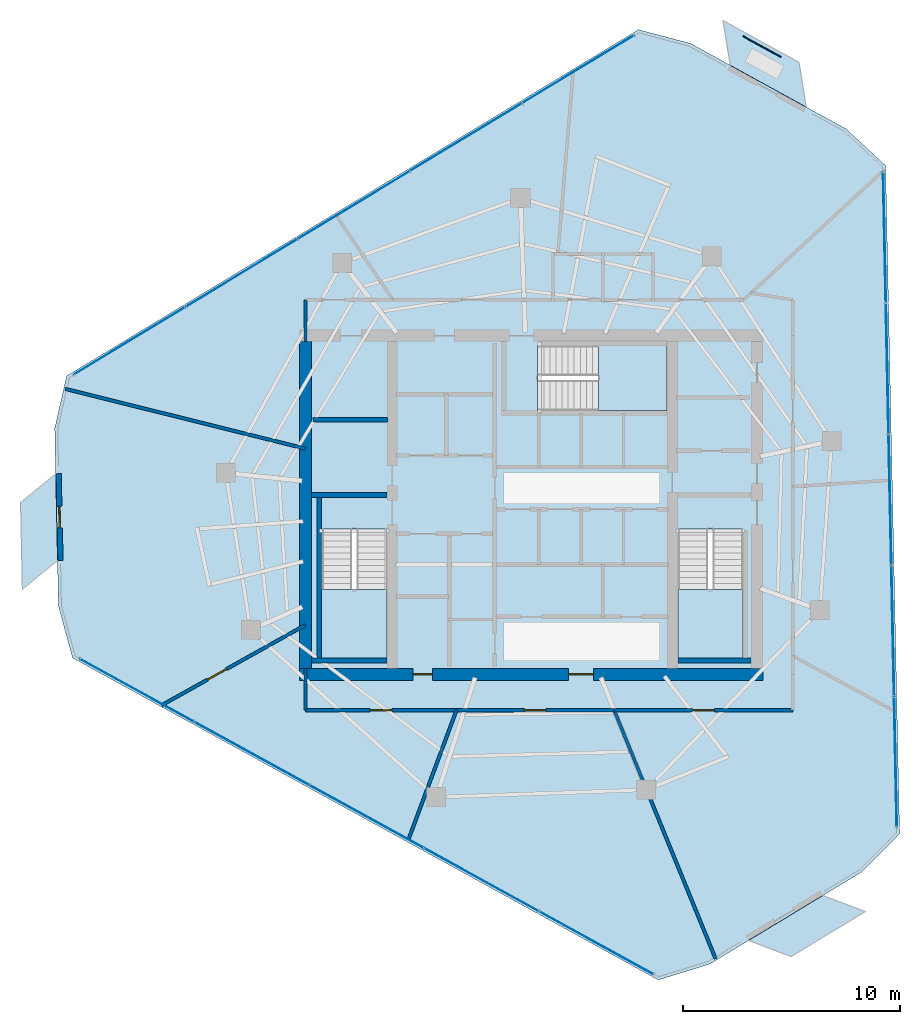
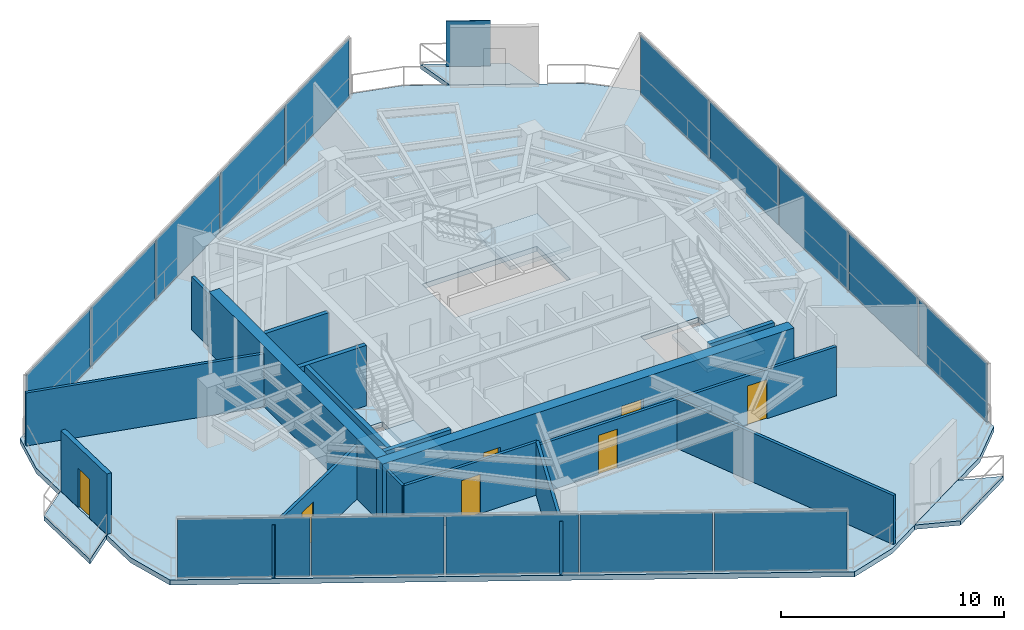
# One storey, part 14 of 19: 17 walls, 16 plates, 7 doors, 7 slabs, 7 openings, 6 elements without a shape of their own.
"""IFC4 building model written with IfcOpenShell, lengths in metres."""

import ifcopenshell
import ifcopenshell.guid

model = None  # the IFC model being written
_history = None  # IfcOwnerHistory: only IFC2X3 demands one
_inside = {}  # id of a spatial element -> (the spatial element, [elements in it])
_under = {}  # id of a project, library or spatial element -> (it, [spatial elements below it])
_declared = {}  # id of a project -> (the project, [libraries it declares])
_typed = {}  # id of a type object -> (the type object, [elements of that type])
_made_of = {}  # id of a material, layer set ... -> (it, [elements and type objects made of it])


def new_model(schema):
    """Start an empty IFC model of exactly this schema.

    Asked for "IFC4X3", IfcOpenShell would pick the latest addendum, in which some entities
    have other attributes; the version numbers below select the first issue.
    IFC2X3 requires an IfcOwnerHistory on every rooted entity: one is made here for all.
    """
    global model, _history
    if schema == "IFC4X3":
        model = ifcopenshell.file(schema_version=(4, 3, 0, 0))
    else:
        model = ifcopenshell.file(schema=schema)
    _inside.clear()
    _under.clear()
    _declared.clear()
    _typed.clear()
    _made_of.clear()
    _history = None
    if model.schema == "IFC2X3":
        org = make("IfcOrganization", Name="unknown")
        user = make(
            "IfcPersonAndOrganization",
            ThePerson=make("IfcPerson", FamilyName="unknown"),
            TheOrganization=org,
        )
        app = make(
            "IfcApplication",
            ApplicationDeveloper=org,
            Version="unknown",
            ApplicationFullName="unknown",
            ApplicationIdentifier="unknown",
        )
        _history = make(
            "IfcOwnerHistory",
            OwningUser=user,
            OwningApplication=app,
            ChangeAction="ADDED",
            CreationDate=0,
        )
    return model


def make(cls, **values):
    """One entity of the class cls with the attributes given. An attribute that is None is left unset."""
    return model.create_entity(
        cls, **{name: value for name, value in values.items() if value is not None}
    )


def rooted(cls, **values):
    """An entity with a GlobalId (a new one), such as an element, a storey or a relation."""
    return make(cls, GlobalId=ifcopenshell.guid.new(), OwnerHistory=_history, **values)


def si_unit(unit_type, name, prefix=None):
    """IfcSIUnit, for example si_unit("LENGTHUNIT", "METRE", prefix="MILLI")."""
    return make("IfcSIUnit", UnitType=unit_type, Prefix=prefix, Name=name)


def assignment(units):
    """IfcUnitAssignment: the units of a project."""
    return None if units is None else make("IfcUnitAssignment", Units=units)


def point(xyz):
    """IfcCartesianPoint."""
    return None if xyz is None else make("IfcCartesianPoint", Coordinates=xyz)


def direction(xyz):
    """IfcDirection."""
    return None if xyz is None else make("IfcDirection", DirectionRatios=xyz)


def frame(location, z_axis=None, x_axis=None):
    """IfcAxis2Placement3D, a coordinate frame: its origin and axes. An axis left out is left unset."""
    return make(
        "IfcAxis2Placement3D",
        Location=point(location),
        Axis=direction(z_axis),
        RefDirection=direction(x_axis),
    )


def frame_2d(location, x_axis=None):
    """IfcAxis2Placement2D, a coordinate frame in the plane: its origin and x axis."""
    return make(
        "IfcAxis2Placement2D", Location=point(location), RefDirection=direction(x_axis)
    )


def origin():
    """The frame at (0, 0, 0) with its axes left unset."""
    return frame((0.0, 0.0, 0.0))


def origin_2d():
    """The frame at (0, 0) in the plane with its x axis left unset."""
    return frame_2d((0.0, 0.0))


def place(relative_to, where):
    """IfcLocalPlacement: puts the frame where relative to a parent placement (None: the world)."""
    return make(
        "IfcLocalPlacement", PlacementRelTo=relative_to, RelativePlacement=where
    )


def context(
    kind, dimensions, precision=None, world=None, true_north=None, identifier=None
):
    """IfcGeometricRepresentationContext, for example the 3D "Model" context."""
    return make(
        "IfcGeometricRepresentationContext",
        ContextIdentifier=identifier,
        ContextType=kind,
        CoordinateSpaceDimension=dimensions,
        Precision=precision,
        WorldCoordinateSystem=world,
        TrueNorth=true_north,
    )


def subcontext(parent, identifier, kind, view, scale=None):
    """IfcGeometricRepresentationSubContext, for example "Body" below "Model"."""
    return make(
        "IfcGeometricRepresentationSubContext",
        ContextIdentifier=identifier,
        ContextType=kind,
        ParentContext=parent,
        TargetScale=scale,
        TargetView=view,
    )


def project(units=None, contexts=None):
    """IfcProject with its units and contexts."""
    return rooted(
        "IfcProject",
        Name="project",
        RepresentationContexts=contexts,
        UnitsInContext=assignment(units),
    )


def spatial(cls, under=None, at=None, **own):
    """A site, building, storey or space (cls), placed at a placement, below another one or the project."""
    s = rooted(cls, ObjectPlacement=at, **own)
    if under is not None:
        _under.setdefault(under.id(), (under, []))[1].append(s)
    return s


def polyline(points):
    """IfcPolyline through the points."""
    return make("IfcPolyline", Points=[point(p) for p in points])


def profile(cls, at=None, kind="AREA", **sizes):
    """A parametric profile (cls). Its sizes go by their IFC names, for example OverallWidth=200.0."""
    return make(cls, ProfileType=kind, Position=at, **sizes)


def rectangle(**sizes):
    """IfcRectangleProfileDef."""
    return profile("IfcRectangleProfileDef", **sizes)


def outline(outer, holes=None, kind="AREA"):
    """IfcArbitraryClosedProfileDef: a profile drawn as a closed curve; with holes, ...WithVoids."""
    if holes is None:
        return make("IfcArbitraryClosedProfileDef", ProfileType=kind, OuterCurve=outer)
    return make(
        "IfcArbitraryProfileDefWithVoids",
        ProfileType=kind,
        OuterCurve=outer,
        InnerCurves=holes,
    )


def extrude(swept, where, along, depth):
    """IfcExtrudedAreaSolid: the profile swept, set in the frame where, extruded along a direction by depth."""
    return make(
        "IfcExtrudedAreaSolid",
        SweptArea=swept,
        Position=where,
        ExtrudedDirection=direction(along),
        Depth=depth,
    )


def shape(context_of_items, identifier, shape_type, items):
    """IfcShapeRepresentation: the items that make up one representation, for example the "Body"."""
    return make(
        "IfcShapeRepresentation",
        ContextOfItems=context_of_items,
        RepresentationIdentifier=identifier,
        RepresentationType=shape_type,
        Items=items,
    )


def material(Name=None, Category=None):
    """IfcMaterial."""
    return make("IfcMaterial", Name=Name, Category=Category)


def layer(
    of_material, thickness, ventilated=None, Name=None, Category=None, Priority=None
):
    """IfcMaterialLayer: one layer of a wall or slab, of a material (None: an air gap)."""
    return make(
        "IfcMaterialLayer",
        Material=of_material,
        LayerThickness=thickness,
        IsVentilated=ventilated,
        Name=Name,
        Category=Category,
        Priority=Priority,
    )


def layer_set(layers, Name=None):
    """IfcMaterialLayerSet."""
    return make("IfcMaterialLayerSet", MaterialLayers=layers, LayerSetName=Name)


def made_of(thing, what):
    """Note that an element or type object is made of a material, layer set ...; save() writes the relation."""
    if what is not None:
        _made_of.setdefault(what.id(), (what, []))[1].append(thing)
    return thing


def type_object(cls, material=None, **own):
    """A type object (cls), such as IfcWallType, which elements share."""
    return made_of(rooted(cls, **own), material)


def element(
    cls,
    number,
    at=None,
    inside=None,
    cuts=None,
    type_object=None,
    material=None,
    context=None,
    identifier="Body",
    shape_type=None,
    held_by="IfcProductDefinitionShape",
    body=None,
    shapes=None,
    **own,
):
    """One element of the class cls, such as IfcWall. Its Tag is "e" and its number.

    at: its placement. inside: the storey or other place that contains it. cuts: it is an
    opening in that element (IfcRelVoidsElement). A single representation is given by context,
    identifier, shape_type and body (its items); several are given by shapes. held_by: the class
    of the entity that holds the representations. save() writes the other relations.
    """
    e = rooted(cls, Tag="e%d" % number, ObjectPlacement=at, **own)
    if body is not None:
        shapes = [shape(context, identifier, shape_type, body)]
    if shapes is not None:
        e.Representation = make(held_by, Representations=shapes)
    if inside is not None:
        _inside.setdefault(inside.id(), (inside, []))[1].append(e)
    if cuts is not None:
        rooted(
            "IfcRelVoidsElement", RelatingBuildingElement=cuts, RelatedOpeningElement=e
        )
    if type_object is not None:
        _typed.setdefault(type_object.id(), (type_object, []))[1].append(e)
    return made_of(e, material)


def fill(opening, filler):
    """IfcRelFillsElement: the door or window that sits in an opening."""
    return rooted(
        "IfcRelFillsElement",
        RelatingOpeningElement=opening,
        RelatedBuildingElement=filler,
    )


def aggregate(whole, parts):
    """IfcRelAggregates: a whole, such as a stair, and the parts it consists of."""
    return rooted("IfcRelAggregates", RelatingObject=whole, RelatedObjects=parts)


def save(model, path):
    """Write the relations noted so far, then the file.

    IfcRelAggregates (storeys below a building ...), IfcRelContainedInSpatialStructure (elements
    in a storey), IfcRelDefinesByType, IfcRelAssociatesMaterial and IfcRelDeclares: one each for
    every whole, place, type object, material and project.
    """
    for whole, parts in _under.values():
        aggregate(whole, parts)
    for where, things in _inside.values():
        rooted(
            "IfcRelContainedInSpatialStructure",
            RelatedElements=things,
            RelatingStructure=where,
        )
    for kind, things in _typed.values():
        rooted("IfcRelDefinesByType", RelatedObjects=things, RelatingType=kind)
    for what, things in _made_of.values():
        rooted("IfcRelAssociatesMaterial", RelatedObjects=things, RelatingMaterial=what)
    for by, libraries in _declared.values():
        rooted("IfcRelDeclares", RelatingContext=by, RelatedDefinitions=libraries)
    model.write(path)


model = new_model("IFC4")

# Units and contexts
model_context = context("Model", 3, precision=1e-05, world=origin(), true_north=direction((0.0, 1.0)))
body_context = subcontext(model_context, "Body", "Model", "MODEL_VIEW")
ifc_project = project(units=[si_unit("LENGTHUNIT", "METRE"), si_unit("AREAUNIT", "SQUARE_METRE"), si_unit("VOLUMEUNIT", "CUBIC_METRE"), si_unit("PLANEANGLEUNIT", "RADIAN"), si_unit("MASSUNIT", "GRAM", prefix="KILO")], contexts=[model_context])

# Site, building, storey
site_placement = place(None, origin())
site = spatial("IfcSite", under=ifc_project, at=site_placement, CompositionType="ELEMENT")
building_placement = place(site_placement, origin())
building = spatial("IfcBuilding", under=site, at=building_placement, Name="Qarnah Convention Tower", CompositionType="ELEMENT")
storey_placement = place(building_placement, frame((0.0, 0.0, 184.199951171875)))
storey = spatial("IfcBuildingStorey", under=building, at=storey_placement, Name="L49", CompositionType="ELEMENT", Elevation=184.199951171875)

# Curtain wall, plates
ifc_material_1 = material(Name="Tempered Low-E dark glass", Category="glass")
ifc_layer_1 = layer(ifc_material_1, 0.174072265625)
ifc_layer_set_1 = layer_set([ifc_layer_1], Name="Tempered Low-E dark glass")
curtain_wall_type = type_object("IfcCurtainWallType", Name="CWS-04", PredefinedType="NOTDEFINED", material=ifc_layer_set_1)
curtain_wall_1_placement = place(storey_placement, origin())
curtain_wall_1 = element("IfcCurtainWall", 1, at=curtain_wall_1_placement, inside=storey, type_object=curtain_wall_type, Name="L49 unitised curtain wall CW-L49-F1", PredefinedType="NOTDEFINED")
ifc_layer_2 = layer(ifc_material_1, 0.033935546875)
ifc_layer_set_2 = layer_set([ifc_layer_2], Name="Tempered Low-E dark glass")
plate_type_1 = type_object("IfcPlateType", Name="PNL-T4", PredefinedType="CURTAIN_PANEL", material=ifc_layer_set_2)
plate_1_placement = place(storey_placement, frame((53.47412109375, 38.7138671875, 0.0400390625), z_axis=(0.0, 0.0, 1.0), x_axis=(0.020935038759, -0.99978083806, 0.0)))
plate_1 = element("IfcPlate", 2, at=plate_1_placement, type_object=plate_type_1, Name="CW-L49-F1 curtain panel 1.1", PredefinedType="CURTAIN_PANEL", context=body_context, shape_type="SweptSolid", body=[
    extrude(rectangle(XDim=5.957763671875, YDim=0.033935546875, at=origin_2d()), origin(), (0.0, 0.0, 1.0), 3.239990234375),
])
plate_2_placement = place(storey_placement, frame((53.6005859375, 32.677490234375, 0.0400390625), z_axis=(0.0, 0.0, 1.0), x_axis=(0.020935038759, -0.99978083806, 0.0)))
plate_2 = element("IfcPlate", 3, at=plate_2_placement, type_object=plate_type_1, Name="CW-L49-F1 curtain panel 2.1", PredefinedType="CURTAIN_PANEL", context=body_context, shape_type="SweptSolid", body=[
    extrude(rectangle(XDim=5.957763671875, YDim=0.033935546875, at=origin_2d()), origin(), (0.0, 0.0, 1.0), 3.239990234375),
])
plate_3_placement = place(storey_placement, frame((53.72705078125, 26.64111328125, 0.0400390625), z_axis=(0.0, 0.0, 1.0), x_axis=(0.020935038759, -0.99978083806, 0.0)))
plate_3 = element("IfcPlate", 4, at=plate_3_placement, type_object=plate_type_1, Name="CW-L49-F1 curtain panel 3.1", PredefinedType="CURTAIN_PANEL", context=body_context, shape_type="SweptSolid", body=[
    extrude(rectangle(XDim=5.957763671875, YDim=0.033935546875, at=origin_2d()), origin(), (0.0, 0.0, 1.0), 3.239990234375),
])
plate_4_placement = place(storey_placement, frame((53.853515625, 20.6044921875, 0.0400390625), z_axis=(0.0, 0.0, 1.0), x_axis=(0.020935038759, -0.99978083806, 0.0)))
plate_4 = element("IfcPlate", 5, at=plate_4_placement, type_object=plate_type_1, Name="CW-L49-F1 curtain panel 4.1", PredefinedType="CURTAIN_PANEL", context=body_context, shape_type="SweptSolid", body=[
    extrude(rectangle(XDim=5.957763671875, YDim=0.033935546875, at=origin_2d()), origin(), (0.0, 0.0, 1.0), 3.239990234375),
])
plate_5_placement = place(storey_placement, frame((53.979736328125, 14.568115234375, 0.0400390625), z_axis=(0.0, 0.0, 1.0), x_axis=(0.020935038759, -0.99978083806, 0.0)))
plate_5 = element("IfcPlate", 6, at=plate_5_placement, type_object=plate_type_1, Name="CW-L49-F1 curtain panel 5.1", PredefinedType="CURTAIN_PANEL", context=body_context, shape_type="SweptSolid", body=[
    extrude(rectangle(XDim=5.957763671875, YDim=0.033935546875, at=origin_2d()), origin(), (0.0, 0.0, 1.0), 3.239990234375),
])
aggregate(curtain_wall_1, [plate_1, plate_2, plate_3, plate_4, plate_5])

curtain_wall_2_placement = place(storey_placement, origin())
curtain_wall_2 = element("IfcCurtainWall", 7, at=curtain_wall_2_placement, inside=storey, type_object=curtain_wall_type, Name="L49 unitised curtain wall CW-L49-F2", PredefinedType="NOTDEFINED")
plate_6_placement = place(storey_placement, frame((18.703125, 33.962646484375, 0.0400390625), z_axis=(0.0, 0.0, 1.0), x_axis=(0.855384204583, 0.517994075786, 0.0)))
plate_6 = element("IfcPlate", 8, at=plate_6_placement, type_object=plate_type_1, Name="CW-L49-F2 curtain panel 1.1", PredefinedType="CURTAIN_PANEL", context=body_context, shape_type="SweptSolid", body=[
    extrude(rectangle(XDim=5.95751953125, YDim=0.033935546875, at=origin_2d()), origin(), (0.0, 0.0, 1.0), 3.239990234375),
])
plate_7_placement = place(storey_placement, frame((23.86767578125, 37.090087890625, 0.0400390625), z_axis=(0.0, 0.0, 1.0), x_axis=(0.855384204583, 0.517994075786, 0.0)))
plate_7 = element("IfcPlate", 9, at=plate_7_placement, type_object=plate_type_1, Name="CW-L49-F2 curtain panel 2.1", PredefinedType="CURTAIN_PANEL", context=body_context, shape_type="SweptSolid", body=[
    extrude(rectangle(XDim=5.95751953125, YDim=0.033935546875, at=origin_2d()), origin(), (0.0, 0.0, 1.0), 3.239990234375),
])
plate_8_placement = place(storey_placement, frame((29.031982421875, 40.217529296875, 0.0400390625), z_axis=(0.0, 0.0, 1.0), x_axis=(0.855384204583, 0.517994075786, 0.0)))
plate_8 = element("IfcPlate", 10, at=plate_8_placement, type_object=plate_type_1, Name="CW-L49-F2 curtain panel 3.1", PredefinedType="CURTAIN_PANEL", context=body_context, shape_type="SweptSolid", body=[
    extrude(rectangle(XDim=5.95751953125, YDim=0.033935546875, at=origin_2d()), origin(), (0.0, 0.0, 1.0), 3.239990234375),
])
plate_9_placement = place(storey_placement, frame((34.1962890625, 43.344970703125, 0.0400390625), z_axis=(0.0, 0.0, 1.0), x_axis=(0.855384204583, 0.517994075786, 0.0)))
plate_9 = element("IfcPlate", 11, at=plate_9_placement, type_object=plate_type_1, Name="CW-L49-F2 curtain panel 4.1", PredefinedType="CURTAIN_PANEL", context=body_context, shape_type="SweptSolid", body=[
    extrude(rectangle(XDim=5.95751953125, YDim=0.033935546875, at=origin_2d()), origin(), (0.0, 0.0, 1.0), 3.239990234375),
])
plate_10_placement = place(storey_placement, frame((39.36083984375, 46.472412109375, 0.0400390625), z_axis=(0.0, 0.0, 1.0), x_axis=(0.855384204583, 0.517994075786, 0.0)))
plate_10 = element("IfcPlate", 12, at=plate_10_placement, type_object=plate_type_1, Name="CW-L49-F2 curtain panel 5.1", PredefinedType="CURTAIN_PANEL", context=body_context, shape_type="SweptSolid", body=[
    extrude(rectangle(XDim=5.95751953125, YDim=0.033935546875, at=origin_2d()), origin(), (0.0, 0.0, 1.0), 3.239990234375),
])
aggregate(curtain_wall_2, [plate_6, plate_7, plate_8, plate_9, plate_10])

curtain_wall_3_placement = place(storey_placement, origin())
curtain_wall_3 = element("IfcCurtainWall", 13, at=curtain_wall_3_placement, inside=storey, type_object=curtain_wall_type, Name="L49 unitised curtain wall CW-L49-F3", PredefinedType="NOTDEFINED")
plate_11_placement = place(storey_placement, frame((40.20263671875, 6.225341796875, 0.0400390625), z_axis=(0.0, 0.0, 1.0), x_axis=(-0.876301920967, 0.481762330729, 0.0)))
plate_11 = element("IfcPlate", 14, at=plate_11_placement, type_object=plate_type_1, Name="CW-L49-F3 curtain panel 1.1", PredefinedType="CURTAIN_PANEL", context=body_context, shape_type="SweptSolid", body=[
    extrude(rectangle(XDim=5.95751953125, YDim=0.033935546875, at=origin_2d()), origin(), (0.0, 0.0, 1.0), 3.239990234375),
])
plate_12_placement = place(storey_placement, frame((34.912109375, 9.1337890625, 0.0400390625), z_axis=(0.0, 0.0, 1.0), x_axis=(-0.876301920967, 0.481762330729, 0.0)))
plate_12 = element("IfcPlate", 15, at=plate_12_placement, type_object=plate_type_1, Name="CW-L49-F3 curtain panel 2.1", PredefinedType="CURTAIN_PANEL", context=body_context, shape_type="SweptSolid", body=[
    extrude(rectangle(XDim=5.95751953125, YDim=0.033935546875, at=origin_2d()), origin(), (0.0, 0.0, 1.0), 3.239990234375),
])
plate_13_placement = place(storey_placement, frame((29.62158203125, 12.04248046875, 0.0400390625), z_axis=(0.0, 0.0, 1.0), x_axis=(-0.876301920967, 0.481762330729, 0.0)))
plate_13 = element("IfcPlate", 16, at=plate_13_placement, type_object=plate_type_1, Name="CW-L49-F3 curtain panel 3.1", PredefinedType="CURTAIN_PANEL", context=body_context, shape_type="SweptSolid", body=[
    extrude(rectangle(XDim=5.95751953125, YDim=0.033935546875, at=origin_2d()), origin(), (0.0, 0.0, 1.0), 3.239990234375),
])
plate_14_placement = place(storey_placement, frame((24.330810546875, 14.951171875, 0.0400390625), z_axis=(0.0, 0.0, 1.0), x_axis=(-0.876301920967, 0.481762330729, 0.0)))
plate_14 = element("IfcPlate", 17, at=plate_14_placement, type_object=plate_type_1, Name="CW-L49-F3 curtain panel 4.1", PredefinedType="CURTAIN_PANEL", context=body_context, shape_type="SweptSolid", body=[
    extrude(rectangle(XDim=5.95751953125, YDim=0.033935546875, at=origin_2d()), origin(), (0.0, 0.0, 1.0), 3.239990234375),
])
plate_15_placement = place(storey_placement, frame((19.040283203125, 17.859619140625, 0.0400390625), z_axis=(0.0, 0.0, 1.0), x_axis=(-0.876301920967, 0.481762330729, 0.0)))
plate_15 = element("IfcPlate", 18, at=plate_15_placement, type_object=plate_type_1, Name="CW-L49-F3 curtain panel 5.1", PredefinedType="CURTAIN_PANEL", context=body_context, shape_type="SweptSolid", body=[
    extrude(rectangle(XDim=5.95751953125, YDim=0.033935546875, at=origin_2d()), origin(), (0.0, 0.0, 1.0), 3.239990234375),
])
aggregate(curtain_wall_3, [plate_11, plate_12, plate_13, plate_14, plate_15])

# Plate
ifc_material_2 = material(Name="Black anodised aluminium", Category="aluminium")
ifc_layer_3 = layer(ifc_material_2, 0.044921875)
ifc_layer_set_3 = layer_set([ifc_layer_3], Name="Black anodised aluminium")
plate_type_2 = type_object("IfcPlateType", Name="SCR-BAL-18", PredefinedType="USERDEFINED", material=ifc_layer_set_3)
plate_16_placement = place(storey_placement, frame((47.821044921875, 47.51611328125, 0.0), z_axis=(0.0, 0.0, 1.0), x_axis=(0.876294908319, -0.481775086169, 0.0)))
element("IfcPlate", 19, at=plate_16_placement, inside=storey, type_object=plate_type_2, Name="L49 perforated desert solar screen BAL-L49-C1", ObjectType="SCREEN", PredefinedType="USERDEFINED", context=body_context, shape_type="SweptSolid", body=[
    extrude(rectangle(XDim=2.0, YDim=0.044921875, at=origin_2d()), origin(), (0.0, 0.0, 1.0), 2.5),
])

# Slabs
ifc_material_3 = material(Name="Concrete C45/55", Category="concrete")
ifc_layer_4 = layer(ifc_material_3, 0.239990234375)
ifc_layer_set_4 = layer_set([ifc_layer_4], Name="Concrete C45/55")
slab_type_1 = type_object("IfcSlabType", Name="SLB-BAL-240", PredefinedType="USERDEFINED", material=ifc_layer_set_4)
slab_1_placement = place(storey_placement, frame((0.0, 0.0, -0.239990234375)))
element("IfcSlab", 20, at=slab_1_placement, inside=storey, type_object=slab_type_1, Name="L49 cantilevered balcony slab BAL-L49-C1", ObjectType="BALCONY", PredefinedType="USERDEFINED", context=body_context, shape_type="SweptSolid", body=[
    extrude(outline(polyline([(46.030029296875, 48.716064453125), (49.534912109375, 46.7890625), (49.8701171875, 44.72412109375), (46.364990234375, 46.65087890625), (46.030029296875, 48.716064453125)])), origin(), (0.0, 0.0, 1.0), 0.239990234375),
])
slab_2_placement = place(storey_placement, frame((0.0, 0.0, -0.239990234375)))
element("IfcSlab", 21, at=slab_2_placement, inside=storey, type_object=slab_type_1, Name="L49 cantilevered balcony slab BAL-L49-C2", ObjectType="BALCONY", PredefinedType="USERDEFINED", context=body_context, shape_type="SweptSolid", body=[
    extrude(outline(polyline([(13.761962890625, 22.513916015625), (13.677978515625, 26.512939453125), (15.300048828125, 27.8349609375), (15.383056640625, 23.8359375), (13.761962890625, 22.513916015625)])), origin(), (0.0, 0.0, 1.0), 0.239990234375),
])
slab_3_placement = place(storey_placement, frame((0.0, 0.0, -0.239990234375)))
element("IfcSlab", 22, at=slab_3_placement, inside=storey, type_object=slab_type_1, Name="L49 cantilevered balcony slab BAL-L49-C3", ObjectType="BALCONY", PredefinedType="USERDEFINED", context=body_context, shape_type="SweptSolid", body=[
    extrude(outline(polyline([(52.587890625, 7.669921875), (49.1669921875, 5.597900390625), (47.2099609375, 6.341064453125), (50.632080078125, 8.4130859375), (52.587890625, 7.669921875)])), origin(), (0.0, 0.0, 1.0), 0.239990234375),
])

# Stair, slab
ifc_material_4 = material(Name="Concrete C50/60", Category="concrete")
stair_type = type_object("IfcStairType", Name="STR-OFF", PredefinedType="HALF_TURN_STAIR", material=ifc_material_4)
stair_1_placement = place(storey_placement, origin())
stair_1 = element("IfcStair", 23, at=stair_1_placement, inside=storey, type_object=stair_type, Name="L49 Core exit stair ST-1", PredefinedType="HALF_TURN_STAIR")
ifc_layer_5 = layer(ifc_material_4, 0.199951171875)
ifc_layer_set_5 = layer_set([ifc_layer_5], Name="Concrete C50/60")
slab_type_2 = type_object("IfcSlabType", Name="SLB-LANDING-200", PredefinedType="LANDING", material=ifc_layer_set_5)
slab_4_placement = place(storey_placement, frame((0.0, 0.0, 1.60009765625)))
slab_4 = element("IfcSlab", 24, at=slab_4_placement, type_object=slab_type_2, Name="ST-1 landing 1", PredefinedType="LANDING", context=body_context, shape_type="SweptSolid", body=[
    extrude(outline(polyline([(27.550048828125, 22.5), (27.550048828125, 19.35009765625), (30.550048828125, 19.35009765625), (30.550048828125, 22.5), (27.550048828125, 22.5)])), origin(), (0.0, 0.0, 1.0), 0.199951171875),
])
aggregate(stair_1, [slab_4])

stair_2_placement = place(storey_placement, origin())
stair_2 = element("IfcStair", 25, at=stair_2_placement, inside=storey, type_object=stair_type, Name="L49 Core exit stair ST-2", PredefinedType="HALF_TURN_STAIR")
slab_5_placement = place(storey_placement, frame((0.0, 0.0, 1.60009765625)))
slab_5 = element("IfcSlab", 26, at=slab_5_placement, type_object=slab_type_2, Name="ST-2 landing 1", PredefinedType="LANDING", context=body_context, shape_type="SweptSolid", body=[
    extrude(outline(polyline([(43.949951171875, 22.5), (43.949951171875, 19.35009765625), (46.949951171875, 19.35009765625), (46.949951171875, 22.5), (43.949951171875, 22.5)])), origin(), (0.0, 0.0, 1.0), 0.199951171875),
])
aggregate(stair_2, [slab_5])

stair_3_placement = place(storey_placement, origin())
stair_3 = element("IfcStair", 27, at=stair_3_placement, inside=storey, type_object=stair_type, Name="L49 Core exit stair ST-3", PredefinedType="HALF_TURN_STAIR")
slab_6_placement = place(storey_placement, frame((0.0, 0.0, 1.60009765625)))
slab_6 = element("IfcSlab", 28, at=slab_6_placement, type_object=slab_type_2, Name="ST-3 landing 1", PredefinedType="LANDING", context=body_context, shape_type="SweptSolid", body=[
    extrude(outline(polyline([(40.300048828125, 30.75), (43.449951171875, 30.75), (43.449951171875, 33.75), (40.300048828125, 33.75), (40.300048828125, 30.75)])), origin(), (0.0, 0.0, 1.0), 0.199951171875),
])
aggregate(stair_3, [slab_6])

# Slab
ifc_layer_6 = layer(ifc_material_3, 0.280029296875)
ifc_layer_set_6 = layer_set([ifc_layer_6], Name="Concrete C45/55")
slab_type_3 = type_object("IfcSlabType", Name="SLB-TWR-280", PredefinedType="FLOOR", material=ifc_layer_set_6)
slab_7_placement = place(storey_placement, frame((0.0, 0.0, -0.280029296875)))
element("IfcSlab", 29, at=slab_7_placement, inside=storey, type_object=slab_type_3, Name="L49 structural floor slab", PredefinedType="FLOOR", context=body_context, shape_type="SweptSolid", body=[
    extrude(outline(polyline([(42.136962890625, 48.2939453125), (15.802001953125, 32.345947265625), (15.251953125, 29.925048828125), (15.423095703125, 21.7490234375), (16.073974609375, 19.35302734375), (43.052978515625, 4.52099609375), (45.425048828125, 5.2548828125), (52.419921875, 9.490966796875), (54.1689453125, 11.2529296875), (53.52490234375, 42.033935546875), (51.702880859375, 43.720947265625), (44.537109375, 47.659912109375), (42.136962890625, 48.2939453125)]), holes=[polyline([(27.550048828125, 25.300048828125), (27.550048828125, 19.35009765625), (30.550048828125, 19.35009765625), (30.550048828125, 25.300048828125), (27.550048828125, 25.300048828125)]), polyline([(43.949951171875, 25.300048828125), (43.949951171875, 19.35009765625), (46.949951171875, 19.35009765625), (46.949951171875, 25.300048828125), (43.949951171875, 25.300048828125)]), polyline([(37.5, 30.75), (43.449951171875, 30.75), (43.449951171875, 33.75), (37.5, 33.75), (37.5, 30.75)])]), origin(), (0.0, 0.0, 1.0), 0.280029296875),
])

# Wall, openings, doors
ifc_material_5 = material(Name="Concrete C60/75", Category="concrete")
ifc_layer_7 = layer(ifc_material_5, 0.550048828125)
ifc_layer_set_7 = layer_set([ifc_layer_7], Name="Concrete C60/75")
wall_type_1 = type_object("IfcWallType", Name="WL-CORE-550", PredefinedType="SHEAR", material=ifc_layer_set_7)
wall_1_placement = place(storey_placement, frame((26.52490234375, 18.60009765625, 0.0), z_axis=(0.0, 0.0, 1.0), x_axis=(1.0, 0.0, 0.0)))
wall_1 = element("IfcWall", 30, at=wall_1_placement, inside=storey, type_object=wall_type_1, Name="L49 core south shear wall", PredefinedType="SHEAR", context=body_context, shape_type="SweptSolid", body=[
    extrude(rectangle(XDim=21.35009765625, YDim=0.550048828125, at=frame_2d((10.675048828125, 0.0))), origin(), (0.0, 0.0, 1.0), 3.320068359375),
])
opening_1_placement = place(wall_1_placement, frame((12.39990234375, 0.0, 0.0)))
opening_1 = element("IfcOpeningElement", 31, at=opening_1_placement, cuts=wall_1, Name="Opening D-4907", PredefinedType="OPENING", context=body_context, shape_type="SweptSolid", body=[
    extrude(rectangle(XDim=1.14990234375, YDim=2.14990234375, at=frame_2d((0.574951171875, 1.074951171875))), frame((0.0, 0.284912109375, 0.0), z_axis=(0.0, -1.0, 0.0), x_axis=(1.0, 0.0, 0.0)), (0.0, 0.0, 1.0), 0.570068359375),
])
opening_2_placement = place(wall_1_placement, frame((5.22509765625, 0.0, 0.0)))
opening_2 = element("IfcOpeningElement", 32, at=opening_2_placement, cuts=wall_1, Name="Opening D-4913", PredefinedType="OPENING", context=body_context, shape_type="SweptSolid", body=[
    extrude(rectangle(XDim=0.89990234375, YDim=2.10009765625, at=frame_2d((0.449951171875, 1.050048828125))), frame((0.0, 0.284912109375, 0.0), z_axis=(0.0, -1.0, 0.0), x_axis=(1.0, 0.0, 0.0)), (0.0, 0.0, 1.0), 0.570068359375),
])
ifc_material_6 = material(Name="Structural steel S355JR", Category="steel")
door_type_1 = type_object("IfcDoorType", Name="DT-LOBBY-1150", OperationType="NOTDEFINED", PredefinedType="DOOR", material=ifc_material_6)
door_1_placement = place(opening_1_placement, origin())
door_1 = element("IfcDoor", 33, at=door_1_placement, inside=storey, type_object=door_type_1, Name="Door D-4907", OperationType="SINGLE_SWING_RIGHT", OverallHeight=2.14990234375, OverallWidth=1.14990234375, PredefinedType="DOOR", context=body_context, shape_type="SweptSolid", body=[
    extrude(rectangle(XDim=1.14990234375, YDim=2.14990234375, at=frame_2d((0.574951171875, 1.074951171875))), frame((0.0, 0.02490234375, 0.0), z_axis=(0.0, -1.0, 0.0), x_axis=(1.0, 0.0, 0.0)), (0.0, 0.0, 1.0), 0.050048828125),
])
fill(opening_1, door_1)
door_type_2 = type_object("IfcDoorType", Name="DT-RISER-900", OperationType="NOTDEFINED", PredefinedType="DOOR", material=ifc_material_6)
door_2_placement = place(opening_2_placement, origin())
door_2 = element("IfcDoor", 34, at=door_2_placement, inside=storey, type_object=door_type_2, Name="Door D-4913", OperationType="SINGLE_SWING_RIGHT", OverallHeight=2.10009765625, OverallWidth=0.89990234375, PredefinedType="DOOR", context=body_context, shape_type="SweptSolid", body=[
    extrude(rectangle(XDim=0.89990234375, YDim=2.10009765625, at=frame_2d((0.449951171875, 1.050048828125))), frame((0.0, 0.02490234375, 0.0), z_axis=(0.0, -1.0, 0.0), x_axis=(1.0, 0.0, 0.0)), (0.0, 0.0, 1.0), 0.050048828125),
])
fill(opening_2, door_2)

# Walls
wall_2_placement = place(storey_placement, frame((26.800048828125, 18.875, 0.0), z_axis=(0.0, 0.0, 1.0), x_axis=(0.0, 1.0, 0.0)))
element("IfcWall", 35, at=wall_2_placement, inside=storey, type_object=wall_type_1, Name="L49 core west shear wall", PredefinedType="SHEAR", context=body_context, shape_type="SweptSolid", body=[
    extrude(rectangle(XDim=15.050048828125, YDim=0.550048828125, at=frame_2d((7.52490234375, 0.0))), origin(), (0.0, 0.0, 1.0), 3.320068359375),
])
ifc_layer_8 = layer(ifc_material_3, 0.199951171875)
ifc_layer_set_8 = layer_set([ifc_layer_8], Name="Concrete C45/55")
wall_type_2 = type_object("IfcWallType", Name="WL-CORE-PART-200", PredefinedType="SOLIDWALL", material=ifc_layer_set_8)
wall_3_placement = place(storey_placement, frame((27.14990234375, 30.320068359375, 0.0), z_axis=(0.0, 0.0, 1.0), x_axis=(1.0, 0.0, 0.0)))
element("IfcWall", 36, at=wall_3_placement, inside=storey, type_object=wall_type_2, Name="L49 interior wall IW-L49-ELRN", PredefinedType="SOLIDWALL", context=body_context, shape_type="SweptSolid", body=[
    extrude(rectangle(XDim=3.4501953125, YDim=0.199951171875, at=frame_2d((1.72509765625, 0.0))), origin(), (0.0, 0.0, 1.0), 2.9931640625),
])
ifc_layer_9 = layer(ifc_material_5, 0.219970703125)
ifc_layer_set_9 = layer_set([ifc_layer_9], Name="Concrete C60/75")
wall_type_3 = type_object("IfcWallType", Name="WL-CORE-STAIR-220", PredefinedType="SHEAR", material=ifc_layer_set_9)
wall_4_placement = place(storey_placement, frame((27.074951171875, 26.860107421875, 0.0), z_axis=(0.0, 0.0, 1.0), x_axis=(1.0, 0.0, 0.0)))
element("IfcWall", 37, at=wall_4_placement, inside=storey, type_object=wall_type_3, Name="L49 stair shaft shear wall SW-L49-ST1N", PredefinedType="SHEAR", context=body_context, shape_type="SweptSolid", body=[
    extrude(rectangle(XDim=3.47509765625, YDim=0.219970703125, at=frame_2d((1.737548828125, 0.0))), origin(), (0.0, 0.0, 1.0), 3.320068359375),
])
wall_5_placement = place(storey_placement, frame((27.43994140625, 19.35009765625, 0.0), z_axis=(0.0, 0.0, 1.0), x_axis=(0.0, 1.0, 0.0)))
element("IfcWall", 38, at=wall_5_placement, inside=storey, type_object=wall_type_3, Name="L49 stair shaft shear wall SW-L49-ST1W", PredefinedType="SHEAR", context=body_context, shape_type="SweptSolid", body=[
    extrude(rectangle(XDim=7.39990234375, YDim=0.219970703125, at=frame_2d((3.699951171875, 0.0))), origin(), (0.0, 0.0, 1.0), 3.320068359375),
])
wall_6_placement = place(storey_placement, frame((27.074951171875, 19.239990234375, 0.0), z_axis=(0.0, 0.0, 1.0), x_axis=(1.0, 0.0, 0.0)))
element("IfcWall", 39, at=wall_6_placement, inside=storey, type_object=wall_type_3, Name="L49 stair shaft shear wall SW-L49-ST1S", PredefinedType="SHEAR", context=body_context, shape_type="SweptSolid", body=[
    extrude(rectangle(XDim=3.47509765625, YDim=0.219970703125, at=frame_2d((1.737548828125, 0.0))), origin(), (0.0, 0.0, 1.0), 3.320068359375),
])
wall_7_placement = place(storey_placement, frame((43.949951171875, 19.239990234375, 0.0), z_axis=(0.0, 0.0, 1.0), x_axis=(1.0, 0.0, 0.0)))
element("IfcWall", 40, at=wall_7_placement, inside=storey, type_object=wall_type_3, Name="L49 stair shaft shear wall SW-L49-ST2S", PredefinedType="SHEAR", context=body_context, shape_type="SweptSolid", body=[
    extrude(rectangle(XDim=3.375, YDim=0.219970703125, at=frame_2d((1.6875, 0.0))), origin(), (0.0, 0.0, 1.0), 3.320068359375),
])

# Wall, opening, door
ifc_material_7 = material(Name="Precast concrete C45/55", Category="concrete")
ifc_layer_10 = layer(ifc_material_7, 0.239990234375)
ifc_layer_set_10 = layer_set([ifc_layer_10], Name="Precast concrete C45/55")
wall_type_4 = type_object("IfcWallType", Name="WL-EXT-BAL-240", PredefinedType="SOLIDWALL", material=ifc_layer_set_10)
wall_8_placement = place(storey_placement, frame((15.51904296875, 23.840087890625, 0.0), z_axis=(0.0, 0.0, 1.0), x_axis=(-0.020996591225, 0.999779547279, 0.0)))
wall_8 = element("IfcWall", 41, at=wall_8_placement, inside=storey, type_object=wall_type_4, Name="L49 loggia threshold wall BAL-L49-C2", PredefinedType="SOLIDWALL", context=body_context, shape_type="SweptSolid", body=[
    extrude(rectangle(XDim=4.0, YDim=0.239990234375, at=frame_2d((2.0, 0.0))), origin(), (0.0, 0.0, 1.0), 3.320068359375),
])
opening_3_placement = place(wall_8_placement, frame((1.5, 0.0, 0.0)))
opening_3 = element("IfcOpeningElement", 42, at=opening_3_placement, cuts=wall_8, Name="Opening BD-4902", PredefinedType="OPENING", context=body_context, shape_type="SweptSolid", body=[
    extrude(rectangle(XDim=1.0, YDim=2.14990234375, at=frame_2d((0.5, 1.074951171875))), frame((0.0, 0.1298828125, 0.0), z_axis=(0.0, -1.0, 0.0), x_axis=(1.0, 0.0, 0.0)), (0.0, 0.0, 1.0), 0.260009765625),
])
door_type_3 = type_object("IfcDoorType", Name="DT-BAL-1000", OperationType="NOTDEFINED", PredefinedType="DOOR", material=ifc_material_2)
door_3_placement = place(opening_3_placement, origin())
door_3 = element("IfcDoor", 43, at=door_3_placement, inside=storey, type_object=door_type_3, Name="L49 balcony terrace door BAL-L49-C2", OperationType="SINGLE_SWING_LEFT", OverallHeight=2.14990234375, OverallWidth=1.0, PredefinedType="DOOR", context=body_context, shape_type="SweptSolid", body=[
    extrude(rectangle(XDim=1.0, YDim=2.14990234375, at=frame_2d((0.5, 1.074951171875))), frame((0.0, 0.02490234375, 0.0), z_axis=(0.0, -1.0, 0.0), x_axis=(1.0, 0.0, 0.0)), (0.0, 0.0, 1.0), 0.050048828125),
])
fill(opening_3, door_3)

# Walls
ifc_material_8 = material(Name="Gypsum partition board")
ifc_layer_11 = layer(ifc_material_8, 0.14990234375)
ifc_layer_set_11 = layer_set([ifc_layer_11], Name="Gypsum partition board")
wall_type_5 = type_object("IfcWallType", Name="WL-SUITE-150", PredefinedType="PARTITIONING", material=ifc_layer_set_11)
wall_9_placement = place(storey_placement, frame((15.7470703125, 31.742919921875, 0.0), z_axis=(0.0, 0.0, 1.0), x_axis=(0.970415491116, -0.241441037526, 0.0)))
element("IfcWall", 44, at=wall_9_placement, inside=storey, type_object=wall_type_5, Name="L49 interior wall IW-L49-R-17", PredefinedType="PARTITIONING", context=body_context, shape_type="SweptSolid", body=[
    extrude(rectangle(XDim=11.389892578125, YDim=0.14990234375, at=frame_2d((5.69482421875, 0.0))), origin(), (0.0, 0.0, 1.0), 2.905029296875),
])
wall_10_placement = place(storey_placement, frame((26.800048828125, 33.925048828125, 0.0), z_axis=(0.0, 0.0, 1.0), x_axis=(0.0, 1.0, 0.0)))
element("IfcWall", 45, at=wall_10_placement, inside=storey, type_object=wall_type_5, Name="L49 interior wall IW-L49-R-18", PredefinedType="PARTITIONING", context=body_context, shape_type="SweptSolid", body=[
    extrude(rectangle(XDim=1.925048828125, YDim=0.14990234375, at=frame_2d((0.96240234375, 0.0))), origin(), (0.0, 0.0, 1.0), 2.905029296875),
])

# Wall, opening, door
wall_11_placement = place(storey_placement, frame((20.176025390625, 17.175048828125, 0.0), z_axis=(0.0, 0.0, 1.0), x_axis=(0.873313313792, 0.487158963742, 0.0)))
wall_11 = element("IfcWall", 46, at=wall_11_placement, inside=storey, type_object=wall_type_5, Name="L49 interior wall IW-L49-R-20", PredefinedType="PARTITIONING", context=body_context, shape_type="SweptSolid", body=[
    extrude(rectangle(XDim=7.5849609375, YDim=0.14990234375, at=frame_2d((3.79248046875, 0.0))), origin(), (0.0, 0.0, 1.0), 2.905029296875),
])
opening_4_placement = place(wall_11_placement, frame((2.419921875, 0.0, 0.0)))
opening_4 = element("IfcOpeningElement", 47, at=opening_4_placement, cuts=wall_11, Name="Opening D-4924", PredefinedType="OPENING", context=body_context, shape_type="SweptSolid", body=[
    extrude(rectangle(XDim=1.0, YDim=2.14990234375, at=frame_2d((0.5, 1.074951171875))), frame((0.0, 0.0849609375, 0.0), z_axis=(0.0, -1.0, 0.0), x_axis=(1.0, 0.0, 0.0)), (0.0, 0.0, 1.0), 0.169921875),
])
ifc_material_9 = material(Name="Oak timber veneer", Category="wood")
door_type_4 = type_object("IfcDoorType", Name="DT-OFFICE-1000", OperationType="NOTDEFINED", PredefinedType="DOOR", material=ifc_material_9)
door_4_placement = place(opening_4_placement, origin())
door_4 = element("IfcDoor", 48, at=door_4_placement, inside=storey, type_object=door_type_4, Name="Door D-4924", OperationType="SINGLE_SWING_LEFT", OverallHeight=2.14990234375, OverallWidth=1.0, PredefinedType="DOOR", context=body_context, shape_type="SweptSolid", body=[
    extrude(rectangle(XDim=1.0, YDim=2.14990234375, at=frame_2d((0.5, 1.074951171875))), frame((0.0, 0.02490234375, 0.0), z_axis=(0.0, -1.0, 0.0), x_axis=(1.0, 0.0, 0.0)), (0.0, 0.0, 1.0), 0.050048828125),
])
fill(opening_4, door_4)

# Wall
wall_12_placement = place(storey_placement, frame((31.530029296875, 10.946044921875, 0.0), z_axis=(0.0, 0.0, 1.0), x_axis=(0.348180787106, 0.937427404917, 0.0)))
element("IfcWall", 49, at=wall_12_placement, inside=storey, type_object=wall_type_5, Name="L49 interior wall IW-L49-R-21", PredefinedType="PARTITIONING", context=body_context, shape_type="SweptSolid", body=[
    extrude(rectangle(XDim=6.404541015625, YDim=0.14990234375, at=frame_2d((3.2021484375, 0.0))), origin(), (0.0, 0.0, 1.0), 2.905029296875),
])

# Wall, opening, door
wall_13_placement = place(storey_placement, frame((33.760009765625, 16.949951171875, 0.0), z_axis=(0.0, 0.0, 1.0), x_axis=(-1.0, 0.0, 0.0)))
wall_13 = element("IfcWall", 50, at=wall_13_placement, inside=storey, type_object=wall_type_5, Name="L49 interior wall IW-L49-R-22", PredefinedType="PARTITIONING", context=body_context, shape_type="SweptSolid", body=[
    extrude(rectangle(XDim=6.9599609375, YDim=0.14990234375, at=frame_2d((3.47998046875, 0.0))), origin(), (0.0, 0.0, 1.0), 2.905029296875),
])
opening_5_placement = place(wall_13_placement, frame((2.97998046875, 0.0, 0.0)))
opening_5 = element("IfcOpeningElement", 51, at=opening_5_placement, cuts=wall_13, Name="Opening D-4925", PredefinedType="OPENING", context=body_context, shape_type="SweptSolid", body=[
    extrude(rectangle(XDim=1.0, YDim=2.14990234375, at=frame_2d((0.5, 1.074951171875))), frame((0.0, 0.0849609375, 0.0), z_axis=(0.0, -1.0, 0.0), x_axis=(1.0, 0.0, 0.0)), (0.0, 0.0, 1.0), 0.169921875),
])
door_5_placement = place(opening_5_placement, origin())
door_5 = element("IfcDoor", 52, at=door_5_placement, inside=storey, type_object=door_type_4, Name="Door D-4925", OperationType="SINGLE_SWING_RIGHT", OverallHeight=2.14990234375, OverallWidth=1.0, PredefinedType="DOOR", context=body_context, shape_type="SweptSolid", body=[
    extrude(rectangle(XDim=1.0, YDim=2.14990234375, at=frame_2d((0.5, 1.074951171875))), frame((0.0, 0.02490234375, 0.0), z_axis=(0.0, -1.0, 0.0), x_axis=(1.0, 0.0, 0.0)), (0.0, 0.0, 1.0), 0.050048828125),
])
fill(opening_5, door_5)

# Walls
wall_14_placement = place(storey_placement, frame((26.800048828125, 16.949951171875, 0.0), z_axis=(0.0, 0.0, 1.0), x_axis=(0.0, 1.0, 0.0)))
element("IfcWall", 53, at=wall_14_placement, inside=storey, type_object=wall_type_5, Name="L49 interior wall IW-L49-R-23", PredefinedType="PARTITIONING", context=body_context, shape_type="SweptSolid", body=[
    extrude(rectangle(XDim=1.925048828125, YDim=0.14990234375, at=frame_2d((0.96240234375, 0.0))), origin(), (0.0, 0.0, 1.0), 2.905029296875),
])
wall_15_placement = place(storey_placement, frame((45.68896484375, 5.507080078125, 0.0), z_axis=(0.0, 0.0, 1.0), x_axis=(-0.377920495362, 0.925838052353, 0.0)))
element("IfcWall", 54, at=wall_15_placement, inside=storey, type_object=wall_type_5, Name="L49 interior wall IW-L49-R-24", PredefinedType="PARTITIONING", context=body_context, shape_type="SweptSolid", body=[
    extrude(rectangle(XDim=12.359375, YDim=0.14990234375, at=frame_2d((6.1796875, 0.0))), origin(), (0.0, 0.0, 1.0), 2.697021484375),
])

# Wall, opening, door
wall_16_placement = place(storey_placement, frame((41.01806640625, 16.949951171875, 0.0), z_axis=(0.0, 0.0, 1.0), x_axis=(-1.0, 0.0, 0.0)))
wall_16 = element("IfcWall", 55, at=wall_16_placement, inside=storey, type_object=wall_type_5, Name="L49 interior wall IW-L49-R-25", PredefinedType="PARTITIONING", context=body_context, shape_type="SweptSolid", body=[
    extrude(rectangle(XDim=7.258056640625, YDim=0.14990234375, at=frame_2d((3.62890625, 0.0))), origin(), (0.0, 0.0, 1.0), 2.697021484375),
])
opening_6_placement = place(wall_16_placement, frame((3.12890625, 0.0, 0.0)))
opening_6 = element("IfcOpeningElement", 56, at=opening_6_placement, cuts=wall_16, Name="Opening D-4926", PredefinedType="OPENING", context=body_context, shape_type="SweptSolid", body=[
    extrude(rectangle(XDim=1.0, YDim=2.14990234375, at=frame_2d((0.5, 1.074951171875))), frame((0.0, 0.0849609375, 0.0), z_axis=(0.0, -1.0, 0.0), x_axis=(1.0, 0.0, 0.0)), (0.0, 0.0, 1.0), 0.169921875),
])
door_6_placement = place(opening_6_placement, origin())
door_6 = element("IfcDoor", 57, at=door_6_placement, inside=storey, type_object=door_type_4, Name="Door D-4926", OperationType="SINGLE_SWING_LEFT", OverallHeight=2.14990234375, OverallWidth=1.0, PredefinedType="DOOR", context=body_context, shape_type="SweptSolid", body=[
    extrude(rectangle(XDim=1.0, YDim=2.14990234375, at=frame_2d((0.5, 1.074951171875))), frame((0.0, 0.02490234375, 0.0), z_axis=(0.0, -1.0, 0.0), x_axis=(1.0, 0.0, 0.0)), (0.0, 0.0, 1.0), 0.050048828125),
])
fill(opening_6, door_6)

wall_17_placement = place(storey_placement, frame((49.25, 16.949951171875, 0.0), z_axis=(0.0, 0.0, 1.0), x_axis=(-1.0, 0.0, 0.0)))
wall_17 = element("IfcWall", 58, at=wall_17_placement, inside=storey, type_object=wall_type_5, Name="L49 interior wall IW-L49-R-29", PredefinedType="PARTITIONING", context=body_context, shape_type="SweptSolid", body=[
    extrude(rectangle(XDim=8.23193359375, YDim=0.14990234375, at=frame_2d((4.115966796875, 0.0))), origin(), (0.0, 0.0, 1.0), 2.697021484375),
])
opening_7_placement = place(wall_17_placement, frame((3.615966796875, 0.0, 0.0)))
opening_7 = element("IfcOpeningElement", 59, at=opening_7_placement, cuts=wall_17, Name="Opening D-4927", PredefinedType="OPENING", context=body_context, shape_type="SweptSolid", body=[
    extrude(rectangle(XDim=1.0, YDim=2.14990234375, at=frame_2d((0.5, 1.074951171875))), frame((0.0, 0.0849609375, 0.0), z_axis=(0.0, -1.0, 0.0), x_axis=(1.0, 0.0, 0.0)), (0.0, 0.0, 1.0), 0.169921875),
])
door_7_placement = place(opening_7_placement, origin())
door_7 = element("IfcDoor", 60, at=door_7_placement, inside=storey, type_object=door_type_4, Name="Door D-4927", OperationType="SINGLE_SWING_RIGHT", OverallHeight=2.14990234375, OverallWidth=1.0, PredefinedType="DOOR", context=body_context, shape_type="SweptSolid", body=[
    extrude(rectangle(XDim=1.0, YDim=2.14990234375, at=frame_2d((0.5, 1.074951171875))), frame((0.0, 0.02490234375, 0.0), z_axis=(0.0, -1.0, 0.0), x_axis=(1.0, 0.0, 0.0)), (0.0, 0.0, 1.0), 0.050048828125),
])
fill(opening_7, door_7)

save(model, "model.ifc")
